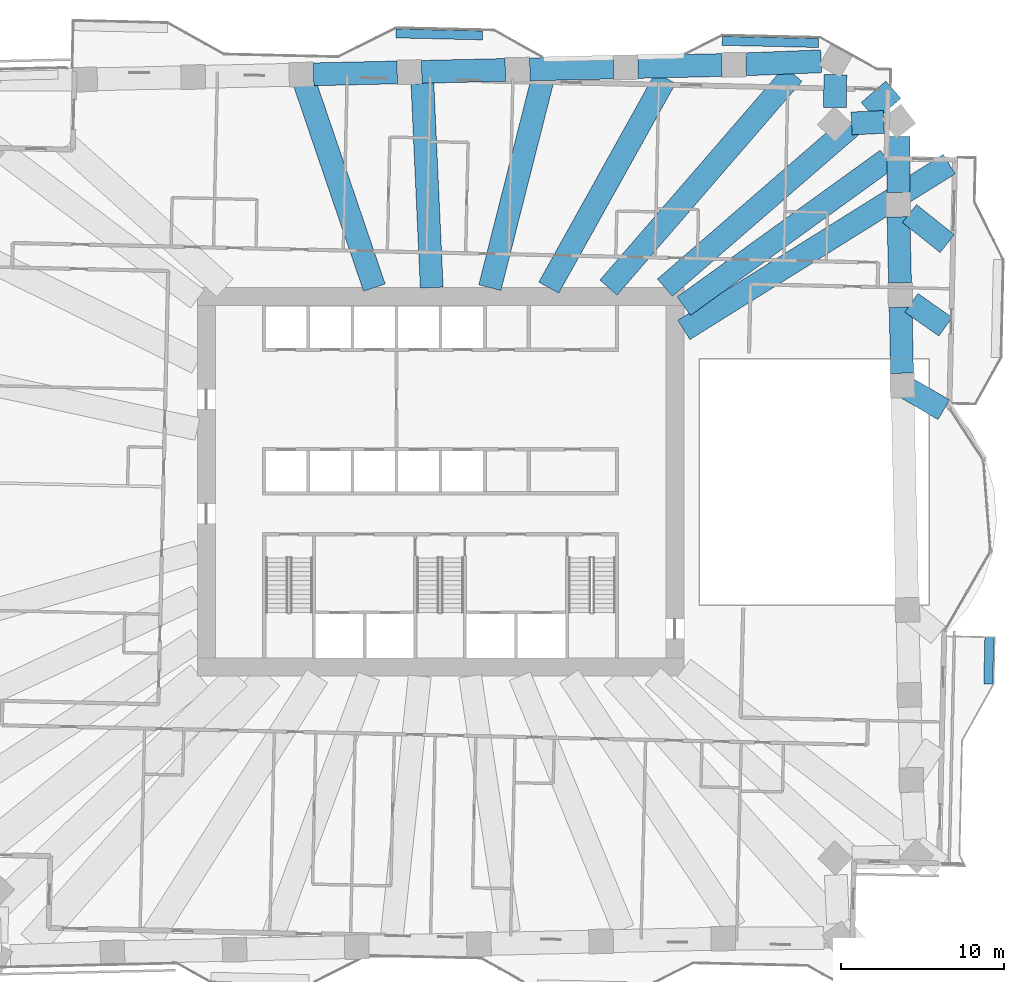
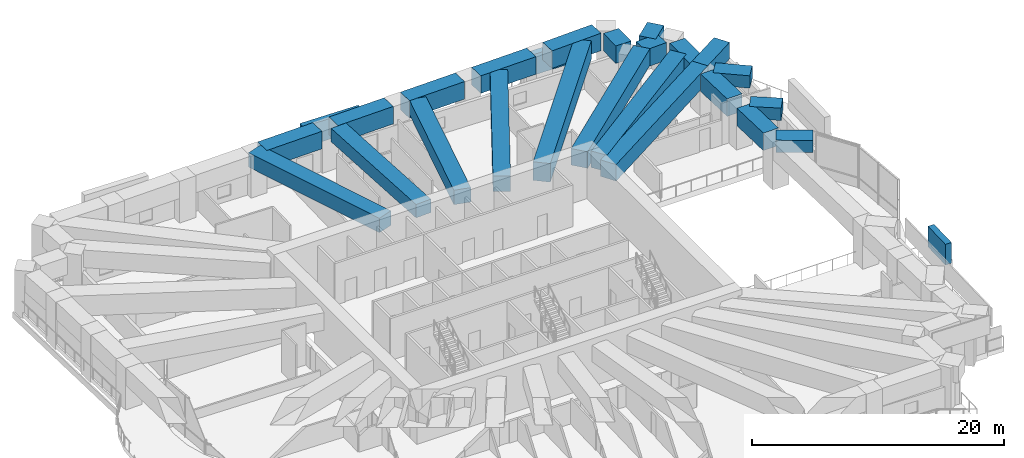
# One storey, part 5 of 20: 23 beams, 3 members.
"""IFC4 building model written with IfcOpenShell, lengths in metres."""

from ifc_helpers import new_model, si_unit, direction, frame, origin, origin_2d, place, context, subcontext, project, spatial, rectangle, extrude, material, material_profile, profile_set, type_object, element, save


model = new_model("IFC4")

# Units and contexts
model_context = context("Model", 3, precision=1e-05, world=origin(), true_north=direction((0.0, 1.0)))
body_context = subcontext(model_context, "Body", "Model", "MODEL_VIEW")
ifc_project = project(units=[si_unit("LENGTHUNIT", "METRE"), si_unit("AREAUNIT", "SQUARE_METRE"), si_unit("VOLUMEUNIT", "CUBIC_METRE"), si_unit("PLANEANGLEUNIT", "RADIAN"), si_unit("MASSUNIT", "GRAM", prefix="KILO")], contexts=[model_context])

# Site, building, storey
site_placement = place(None, origin())
site = spatial("IfcSite", under=ifc_project, at=site_placement, CompositionType="ELEMENT")
building_placement = place(site_placement, origin())
building = spatial("IfcBuilding", under=site, at=building_placement, Name="Mangrove Gate Tower", CompositionType="ELEMENT")
storey_placement = place(building_placement, frame((0.0, 0.0, 52.10009765625)))
storey = spatial("IfcBuildingStorey", under=building, at=storey_placement, Name="L12", CompositionType="ELEMENT", Elevation=52.10009765625)

# Members
ifc_material_1 = material(Name="Planting on aluminium trellis", Category="aluminium")
ifc_material_profile_1 = material_profile(ifc_material_1, rectangle(XDim=0.550048828125, YDim=2.0, at=origin_2d()))
ifc_profile_set_1 = profile_set([ifc_material_profile_1], Name="Planting on aluminium trellis")
member_type = type_object("IfcMemberType", Name="Balcony greenery screen 550x2000", PredefinedType="USERDEFINED", material=ifc_profile_set_1)
member_1_placement = place(storey_placement, frame((33.548095703125, -12.3779296875, 1.7998046875), z_axis=(0.022590224177, 0.999744808324, 0.0), x_axis=(-0.999744808324, 0.022590224177, 0.0)))
element("IfcMember", 1, at=member_1_placement, inside=storey, type_object=member_type, Name="GREEN SCREEN L12 E0.1", ObjectType="PLANTING", PredefinedType="USERDEFINED", context=body_context, shape_type="SweptSolid", body=[
    extrude(rectangle(XDim=0.550048828125, YDim=2.0, at=origin_2d()), origin(), (0.0, 0.0, 1.0), 2.874755859375),
])
member_2_placement = place(storey_placement, frame((17.2548828125, 27.01708984375, 1.7998046875), z_axis=(0.999741899632, -0.022718585326, 0.0), x_axis=(0.022718585326, 0.999741899632, 0.0)))
element("IfcMember", 2, at=member_2_placement, inside=storey, type_object=member_type, Name="GREEN SCREEN L12 N0.1", ObjectType="PLANTING", PredefinedType="USERDEFINED", context=body_context, shape_type="SweptSolid", body=[
    extrude(rectangle(XDim=0.550048828125, YDim=2.0, at=origin_2d()), origin(), (0.0, 0.0, 1.0), 5.899658203125),
])
member_3_placement = place(storey_placement, frame((-2.739990234375, 27.470947265625, 1.7998046875), z_axis=(0.999744137411, -0.022619896386, 0.0), x_axis=(0.022619896386, 0.999744137411, 0.0)))
element("IfcMember", 3, at=member_3_placement, inside=storey, type_object=member_type, Name="GREEN SCREEN L12 N1.2", ObjectType="PLANTING", PredefinedType="USERDEFINED", context=body_context, shape_type="SweptSolid", body=[
    extrude(rectangle(XDim=0.550048828125, YDim=2.0, at=origin_2d()), origin(), (0.0, 0.0, 1.0), 5.299560546875),
])

# Beams
ifc_material_2 = material(Name="Concrete C70/85", Category="concrete")
ifc_material_profile_2 = material_profile(ifc_material_2, rectangle(XDim=1.39990234375, YDim=1.199951171875, at=origin_2d()))
ifc_profile_set_2 = profile_set([ifc_material_profile_2], Name="Concrete C70/85")
beam_type_1 = type_object("IfcBeamType", Name="Transfer girder RC 1400x1200 C70/85", PredefinedType="BEAM", material=ifc_profile_set_2)
beam_1_placement = place(storey_placement, frame((28.2861328125, 5.905029296875, 3.449951171875), z_axis=(0.86297123086, -0.505253060068, 0.0), x_axis=(0.505253060068, 0.86297123086, 0.0)))
element("IfcBeam", 4, at=beam_1_placement, inside=storey, type_object=beam_type_1, Name="Transfer edge girder L12 17", PredefinedType="BEAM", context=body_context, shape_type="SweptSolid", body=[
    extrude(rectangle(XDim=1.39990234375, YDim=1.199951171875, at=origin_2d()), origin(), (0.0, 0.0, 1.0), 2.942138671875),
])
beam_2_placement = place(storey_placement, frame((28.840576171875, 10.968017578125, 3.449951171875), z_axis=(0.818840244839, -0.574021474713, 0.0), x_axis=(0.574021474713, 0.818840244839, 0.0)))
element("IfcBeam", 5, at=beam_2_placement, inside=storey, type_object=beam_type_1, Name="Transfer edge girder L12 18", PredefinedType="BEAM", context=body_context, shape_type="SweptSolid", body=[
    extrude(rectangle(XDim=1.39990234375, YDim=1.199951171875, at=origin_2d()), origin(), (0.0, 0.0, 1.0), 2.548828125),
])
beam_3_placement = place(storey_placement, frame((28.720947265625, 16.439453125, 3.449951171875), z_axis=(0.782043827418, -0.623223436656, 0.0), x_axis=(0.623223436656, 0.782043827418, 0.0)))
element("IfcBeam", 6, at=beam_3_placement, inside=storey, type_object=beam_type_1, Name="Transfer edge girder L12 19", PredefinedType="BEAM", context=body_context, shape_type="SweptSolid", body=[
    extrude(rectangle(XDim=1.39990234375, YDim=1.199951171875, at=origin_2d()), origin(), (0.0, 0.0, 1.0), 2.9560546875),
])
ifc_material_3 = material(Name="Concrete C70/85", Category="concrete")
ifc_material_profile_3 = material_profile(ifc_material_3, rectangle(XDim=1.39990234375, YDim=1.300048828125, at=origin_2d()))
ifc_profile_set_3 = profile_set([ifc_material_profile_3], Name="Concrete C70/85")
beam_type_2 = type_object("IfcBeamType", Name="Transfer girder RC 1400x1300 C70/85", PredefinedType="BEAM", material=ifc_profile_set_3)
beam_4_placement = place(storey_placement, frame((-0.54296875, 11.89990234375, 3.39990234375), z_axis=(-0.045564332703, 0.998961406454, 0.0), x_axis=(-0.998961406454, -0.045564332703, 0.0)))
element("IfcBeam", 7, at=beam_4_placement, inside=storey, type_object=beam_type_2, Name="Transfer girder L12 26", PredefinedType="BEAM", context=body_context, shape_type="SweptSolid", body=[
    extrude(rectangle(XDim=1.39990234375, YDim=1.300048828125, at=origin_2d()), origin(), (0.0, 0.0, 1.0), 12.51123046875),
])
ifc_material_4 = material(Name="Concrete C70/85", Category="concrete")
ifc_material_profile_4 = material_profile(ifc_material_4, rectangle(XDim=1.39990234375, YDim=1.39990234375, at=origin_2d()))
ifc_profile_set_4 = profile_set([ifc_material_profile_4], Name="Concrete C70/85")
beam_type_3 = type_object("IfcBeamType", Name="Transfer girder RC 1400x1400 C70/85", PredefinedType="BEAM", material=ifc_profile_set_4)
beam_5_placement = place(storey_placement, frame((3.017578125, 11.89990234375, 3.349853515625), z_axis=(0.245812413027, 0.969317418394, 0.0), x_axis=(-0.969317418394, 0.245812413027, 0.0)))
element("IfcBeam", 8, at=beam_5_placement, inside=storey, type_object=beam_type_3, Name="Transfer girder L12 25", PredefinedType="BEAM", context=body_context, shape_type="SweptSolid", body=[
    extrude(rectangle(XDim=1.39990234375, YDim=1.39990234375, at=origin_2d()), origin(), (0.0, 0.0, 1.0), 13.072509765625),
])
beam_6_placement = place(storey_placement, frame((-4.05615234375, 11.89990234375, 3.349853515625), z_axis=(-0.322637872605, 0.946522478952, 0.0), x_axis=(-0.946522478952, -0.322637872605, 0.0)))
element("IfcBeam", 9, at=beam_6_placement, inside=storey, type_object=beam_type_3, Name="Transfer girder L12 27", PredefinedType="BEAM", context=body_context, shape_type="SweptSolid", body=[
    extrude(rectangle(XDim=1.39990234375, YDim=1.39990234375, at=origin_2d()), origin(), (0.0, 0.0, 1.0), 13.787109375),
])
ifc_material_5 = material(Name="Concrete C70/85", Category="concrete")
ifc_material_profile_5 = material_profile(ifc_material_5, rectangle(XDim=1.39990234375, YDim=1.5, at=origin_2d()))
ifc_profile_set_5 = profile_set([ifc_material_profile_5], Name="Concrete C70/85")
beam_type_4 = type_object("IfcBeamType", Name="Transfer girder RC 1400x1500 C70/85", PredefinedType="BEAM", material=ifc_profile_set_5)
beam_7_placement = place(storey_placement, frame((6.627197265625, 11.89990234375, 3.2998046875), z_axis=(0.48655882068, 0.873647820359, 0.0), x_axis=(-0.873647820359, 0.48655882068, 0.0)))
element("IfcBeam", 10, at=beam_7_placement, inside=storey, type_object=beam_type_4, Name="Transfer girder L12 24", PredefinedType="BEAM", context=body_context, shape_type="SweptSolid", body=[
    extrude(rectangle(XDim=1.39990234375, YDim=1.5, at=origin_2d()), origin(), (0.0, 0.0, 1.0), 14.706787109375),
])
ifc_material_6 = material(Name="Concrete C70/85", Category="concrete")
ifc_material_profile_6 = material_profile(ifc_material_6, rectangle(XDim=1.39990234375, YDim=1.60009765625, at=origin_2d()))
ifc_profile_set_6 = profile_set([ifc_material_profile_6], Name="Concrete C70/85")
beam_type_5 = type_object("IfcBeamType", Name="Transfer girder RC 1400x1600 C70/85", PredefinedType="BEAM", material=ifc_profile_set_6)
beam_8_placement = place(storey_placement, frame((14.89990234375, 9.30712890625, 3.25), z_axis=(0.848140829704, 0.529770830633, 0.0), x_axis=(-0.529770830633, 0.848140829704, 0.0)))
element("IfcBeam", 11, at=beam_8_placement, inside=storey, type_object=beam_type_5, Name="Transfer girder L12 20", PredefinedType="BEAM", context=body_context, shape_type="SweptSolid", body=[
    extrude(rectangle(XDim=1.39990234375, YDim=1.60009765625, at=origin_2d()), origin(), (0.0, 0.0, 1.0), 15.490234375),
])
beam_9_placement = place(storey_placement, frame((28.037841796875, 17.513427734375, 3.25), z_axis=(0.84814735909, 0.529760377216, 0.0), x_axis=(-0.529760377216, 0.84814735909, 0.0)))
element("IfcBeam", 12, at=beam_9_placement, inside=storey, type_object=beam_type_5, Name="Transfer cantilever girder L12 20", PredefinedType="BEAM", context=body_context, shape_type="SweptSolid", body=[
    extrude(rectangle(XDim=1.39990234375, YDim=1.60009765625, at=origin_2d()), origin(), (0.0, 0.0, 1.0), 3.679931640625),
])
beam_10_placement = place(storey_placement, frame((14.89990234375, 10.764892578125, 3.25), z_axis=(0.810586920481, 0.585618343587, 0.0), x_axis=(-0.585618343587, 0.810586920481, 0.0)))
element("IfcBeam", 13, at=beam_10_placement, inside=storey, type_object=beam_type_5, Name="Transfer girder L12 21", PredefinedType="BEAM", context=body_context, shape_type="SweptSolid", body=[
    extrude(rectangle(XDim=1.39990234375, YDim=1.60009765625, at=origin_2d()), origin(), (0.0, 0.0, 1.0), 15.344970703125),
])
beam_11_placement = place(storey_placement, frame((13.739013671875, 11.89990234375, 3.25), z_axis=(0.755874806611, 0.654716180288, 0.0), x_axis=(-0.654716180288, 0.755874806611, 0.0)))
element("IfcBeam", 14, at=beam_11_placement, inside=storey, type_object=beam_type_5, Name="Transfer girder L12 22", PredefinedType="BEAM", context=body_context, shape_type="SweptSolid", body=[
    extrude(rectangle(XDim=1.39990234375, YDim=1.60009765625, at=origin_2d()), origin(), (0.0, 0.0, 1.0), 15.134765625),
])
beam_12_placement = place(storey_placement, frame((26.22216796875, 22.712158203125, 3.25), z_axis=(0.755866390119, 0.654725897065, 0.0), x_axis=(-0.654725897065, 0.755866390119, 0.0)))
element("IfcBeam", 15, at=beam_12_placement, inside=storey, type_object=beam_type_5, Name="Transfer cantilever girder L12 22", PredefinedType="BEAM", context=body_context, shape_type="SweptSolid", body=[
    extrude(rectangle(XDim=1.39990234375, YDim=1.60009765625, at=origin_2d()), origin(), (0.0, 0.0, 1.0), 1.998779296875),
])
ifc_material_7 = material(Name="Concrete C70/85", Category="concrete")
ifc_material_profile_7 = material_profile(ifc_material_7, rectangle(XDim=1.39990234375, YDim=1.699951171875, at=origin_2d()))
ifc_profile_set_7 = profile_set([ifc_material_profile_7], Name="Concrete C70/85")
beam_type_6 = type_object("IfcBeamType", Name="Transfer girder RC 1400x1700 C70/85", PredefinedType="BEAM", material=ifc_profile_set_7)
beam_13_placement = place(storey_placement, frame((28.26904296875, 6.65478515625, 3.199951171875), z_axis=(-0.022713172236, 0.999742022627, 0.0), x_axis=(-0.999742022627, -0.022713172236, 0.0)))
element("IfcBeam", 16, at=beam_13_placement, inside=storey, type_object=beam_type_6, Name="Transfer ring girder L12 18", PredefinedType="BEAM", context=body_context, shape_type="SweptSolid", body=[
    extrude(rectangle(XDim=1.39990234375, YDim=1.699951171875, at=origin_2d()), origin(), (0.0, 0.0, 1.0), 4.04150390625),
])
beam_14_placement = place(storey_placement, frame((28.143310546875, 12.19482421875, 3.199951171875), z_axis=(-0.022586963022, 0.999744882008, 0.0), x_axis=(-0.999744882008, -0.022586963022, 0.0)))
element("IfcBeam", 17, at=beam_14_placement, inside=storey, type_object=beam_type_6, Name="Transfer ring girder L12 19", PredefinedType="BEAM", context=body_context, shape_type="SweptSolid", body=[
    extrude(rectangle(XDim=1.39990234375, YDim=1.699951171875, at=origin_2d()), origin(), (0.0, 0.0, 1.0), 4.04248046875),
])
beam_15_placement = place(storey_placement, frame((28.0390625, 17.736328125, 3.199951171875), z_axis=(0.005012109462, 0.9999874393, 0.0), x_axis=(-0.9999874393, 0.005012109462, 0.0)))
element("IfcBeam", 18, at=beam_15_placement, inside=storey, type_object=beam_type_6, Name="Transfer ring girder L12 20", PredefinedType="BEAM", context=body_context, shape_type="SweptSolid", body=[
    extrude(rectangle(XDim=1.39990234375, YDim=1.699951171875, at=origin_2d()), origin(), (0.0, 0.0, 1.0), 3.40966796875),
])
beam_16_placement = place(storey_placement, frame((27.152099609375, 22.04833984375, 3.199951171875), z_axis=(-0.998943948206, -0.045945493167, 0.0), x_axis=(0.045945493167, -0.998943948206, 0.0)))
element("IfcBeam", 19, at=beam_16_placement, inside=storey, type_object=beam_type_6, Name="Transfer ring girder L12 21", PredefinedType="BEAM", context=body_context, shape_type="SweptSolid", body=[
    extrude(rectangle(XDim=1.39990234375, YDim=1.699951171875, at=origin_2d()), origin(), (0.0, 0.0, 1.0), 1.976806640625),
])
beam_17_placement = place(storey_placement, frame((24.156005859375, 22.933349609375, 3.199951171875), z_axis=(0.013971904574, 0.999902388177, 0.0), x_axis=(-0.999902388177, 0.013971904574, 0.0)))
element("IfcBeam", 20, at=beam_17_placement, inside=storey, type_object=beam_type_6, Name="Transfer ring girder L12 22", PredefinedType="BEAM", context=body_context, shape_type="SweptSolid", body=[
    extrude(rectangle(XDim=1.39990234375, YDim=1.699951171875, at=origin_2d()), origin(), (0.0, 0.0, 1.0), 2.009521484375),
])
beam_18_placement = place(storey_placement, frame((23.311279296875, 25.764892578125, 3.199951171875), z_axis=(-0.999201890594, -0.039944734743, 0.0), x_axis=(0.039944734743, -0.999201890594, 0.0)))
element("IfcBeam", 21, at=beam_18_placement, inside=storey, type_object=beam_type_6, Name="Transfer ring girder L12 23", PredefinedType="BEAM", context=body_context, shape_type="SweptSolid", body=[
    extrude(rectangle(XDim=1.39990234375, YDim=1.699951171875, at=origin_2d()), origin(), (0.0, 0.0, 1.0), 4.602294921875),
])
beam_19_placement = place(storey_placement, frame((17.213134765625, 25.5341796875, 3.199951171875), z_axis=(-0.999739592542, -0.022819883957, 0.0), x_axis=(0.022819883957, -0.999739592542, 0.0)))
element("IfcBeam", 22, at=beam_19_placement, inside=storey, type_object=beam_type_6, Name="Transfer ring girder L12 24", PredefinedType="BEAM", context=body_context, shape_type="SweptSolid", body=[
    extrude(rectangle(XDim=1.39990234375, YDim=1.699951171875, at=origin_2d()), origin(), (0.0, 0.0, 1.0), 5.12451171875),
])
beam_20_placement = place(storey_placement, frame((10.59033203125, 25.38330078125, 3.199951171875), z_axis=(-0.999742965414, -0.022671636567, 0.0), x_axis=(0.022671636567, -0.999742965414, 0.0)))
element("IfcBeam", 23, at=beam_20_placement, inside=storey, type_object=beam_type_6, Name="Transfer ring girder L12 25", PredefinedType="BEAM", context=body_context, shape_type="SweptSolid", body=[
    extrude(rectangle(XDim=1.39990234375, YDim=1.699951171875, at=origin_2d()), origin(), (0.0, 0.0, 1.0), 5.125732421875),
])
beam_21_placement = place(storey_placement, frame((3.966064453125, 25.233154296875, 3.199951171875), z_axis=(-0.999743921904, -0.022629419247, 0.0), x_axis=(0.022629419247, -0.999743921904, 0.0)))
element("IfcBeam", 24, at=beam_21_placement, inside=storey, type_object=beam_type_6, Name="Transfer ring girder L12 26", PredefinedType="BEAM", context=body_context, shape_type="SweptSolid", body=[
    extrude(rectangle(XDim=1.39990234375, YDim=1.699951171875, at=origin_2d()), origin(), (0.0, 0.0, 1.0), 5.12451171875),
])
beam_22_placement = place(storey_placement, frame((-2.65673828125, 25.0830078125, 3.199951171875), z_axis=(-0.999740702985, -0.022771183457, 0.0), x_axis=(0.022771183457, -0.999740702985, 0.0)))
element("IfcBeam", 25, at=beam_22_placement, inside=storey, type_object=beam_type_6, Name="Transfer ring girder L12 27", PredefinedType="BEAM", context=body_context, shape_type="SweptSolid", body=[
    extrude(rectangle(XDim=1.39990234375, YDim=1.699951171875, at=origin_2d()), origin(), (0.0, 0.0, 1.0), 5.124755859375),
])
ifc_material_8 = material(Name="Concrete C70/85", Category="concrete")
ifc_material_profile_8 = material_profile(ifc_material_8, rectangle(XDim=1.39990234375, YDim=1.800048828125, at=origin_2d()))
ifc_profile_set_8 = profile_set([ifc_material_profile_8], Name="Concrete C70/85")
beam_type_7 = type_object("IfcBeamType", Name="Transfer girder RC 1400x1800 C70/85", PredefinedType="BEAM", material=ifc_profile_set_8)
beam_23_placement = place(storey_placement, frame((10.286376953125, 11.89990234375, 3.14990234375), z_axis=(0.65395542877, 0.756533077388, 0.0), x_axis=(-0.756533077388, 0.65395542877, 0.0)))
element("IfcBeam", 26, at=beam_23_placement, inside=storey, type_object=beam_type_7, Name="Transfer girder L12 23", PredefinedType="BEAM", context=body_context, shape_type="SweptSolid", body=[
    extrude(rectangle(XDim=1.39990234375, YDim=1.800048828125, at=origin_2d()), origin(), (0.0, 0.0, 1.0), 17.31005859375),
])

save(model, "model.ifc")
